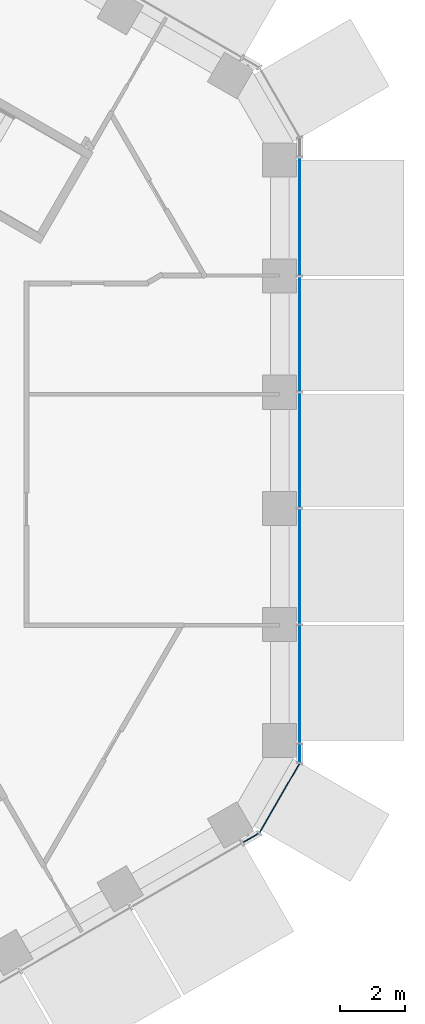
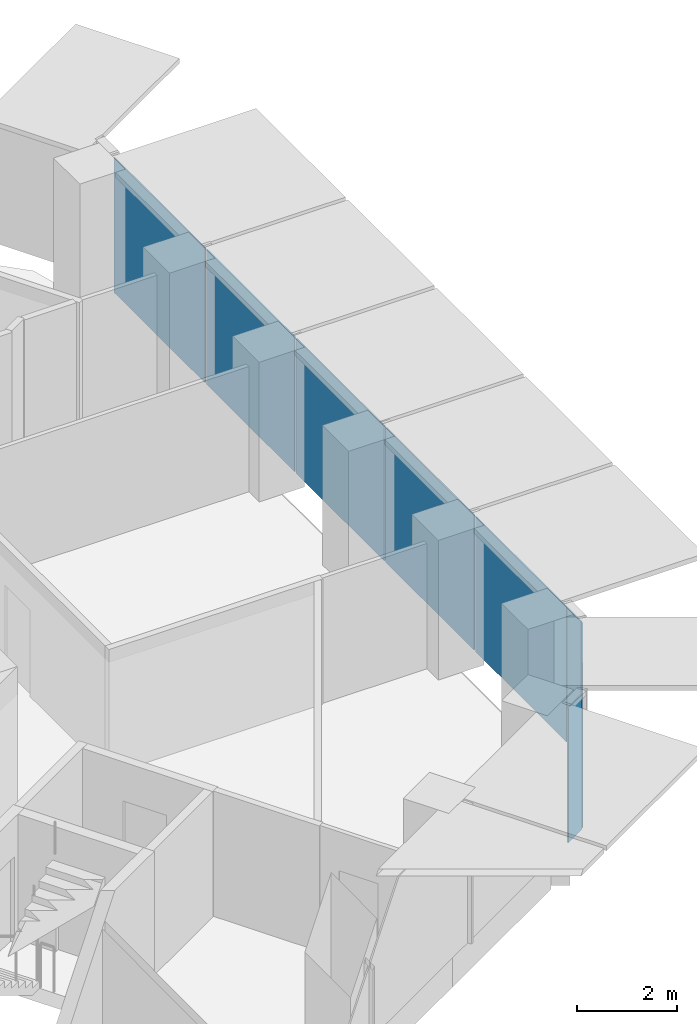
# One storey, part 10 of 18: 8 plates, 2 elements without a shape of their own.
"""IFC4 building model written with IfcOpenShell, lengths in metres."""

from ifc_helpers import new_model, si_unit, direction, frame, origin, origin_2d, place, context, subcontext, project, spatial, rectangle, extrude, material, layer, layer_set, type_object, element, aggregate, save


model = new_model("IFC4")

# Units and contexts
model_context = context("Model", 3, precision=1e-05, world=origin(), true_north=direction((0.0, 1.0)))
body_context = subcontext(model_context, "Body", "Model", "MODEL_VIEW")
ifc_project = project(units=[si_unit("LENGTHUNIT", "METRE"), si_unit("AREAUNIT", "SQUARE_METRE"), si_unit("VOLUMEUNIT", "CUBIC_METRE"), si_unit("PLANEANGLEUNIT", "RADIAN"), si_unit("MASSUNIT", "GRAM", prefix="KILO")], contexts=[model_context])

# Site, building, storey
site_placement = place(None, origin())
site = spatial("IfcSite", under=ifc_project, at=site_placement, CompositionType="ELEMENT")
building_placement = place(site_placement, origin())
building = spatial("IfcBuilding", under=site, at=building_placement, Name="Ayvan Gate Tower", CompositionType="ELEMENT")
storey_placement = place(building_placement, frame((0.0, 0.0, 110.300048828125)))
storey = spatial("IfcBuildingStorey", under=building, at=storey_placement, Name="L29", CompositionType="ELEMENT", Elevation=110.300048828125)

# Curtain wall, plates
ifc_material_1 = material(Name="Bronze anodised aluminium", Category="aluminium")
ifc_layer_1 = layer(ifc_material_1, 0.199951171875)
ifc_layer_set_1 = layer_set([ifc_layer_1], Name="Bronze anodised aluminium")
curtain_wall_type_1 = type_object("IfcCurtainWallType", Name="Stick curtain wall CW-1", PredefinedType="NOTDEFINED", material=ifc_layer_set_1)
curtain_wall_1_placement = place(storey_placement, origin())
curtain_wall_1 = element("IfcCurtainWall", 1, at=curtain_wall_1_placement, inside=storey, type_object=curtain_wall_type_1, Name="Stick curtain wall CW-1 L29", PredefinedType="NOTDEFINED")
ifc_material_2 = material(Name="Clear low-iron laminated glass", Category="glass")
ifc_layer_2 = layer(ifc_material_2, 0.028076171875)
ifc_layer_set_2 = layer_set([ifc_layer_2], Name="Clear low-iron laminated glass")
plate_type_1 = type_object("IfcPlateType", Name="Stick curtain wall CW-1 glass panel", PredefinedType="CURTAIN_PANEL", material=ifc_layer_set_2)
plate_1_placement = place(storey_placement, frame((20.110595703125, -7.20654296875, 0.0), z_axis=(0.0, 0.0, 1.0), x_axis=(0.0, 1.0, 0.0)))
plate_1 = element("IfcPlate", 2, at=plate_1_placement, type_object=plate_type_1, Name="CW-1 glass panel 1", PredefinedType="CURTAIN_PANEL", context=body_context, shape_type="SweptSolid", body=[
    extrude(rectangle(XDim=3.631103515625, YDim=0.028076171875, at=origin_2d()), origin(), (0.0, 0.0, 1.0), 3.280029296875),
])
plate_2_placement = place(storey_placement, frame((20.110595703125, -3.573974609375, 0.0), z_axis=(0.0, 0.0, 1.0), x_axis=(0.0, 1.0, 0.0)))
plate_2 = element("IfcPlate", 3, at=plate_2_placement, type_object=plate_type_1, Name="CW-1 glass panel 2", PredefinedType="CURTAIN_PANEL", context=body_context, shape_type="SweptSolid", body=[
    extrude(rectangle(XDim=3.513916015625, YDim=0.028076171875, at=origin_2d()), origin(), (0.0, 0.0, 1.0), 3.280029296875),
])
plate_3_placement = place(storey_placement, frame((20.110595703125, 0.0, 0.0), z_axis=(0.0, 0.0, 1.0), x_axis=(0.0, 1.0, 0.0)))
plate_3 = element("IfcPlate", 4, at=plate_3_placement, type_object=plate_type_1, Name="CW-1 glass panel 3", PredefinedType="CURTAIN_PANEL", context=body_context, shape_type="SweptSolid", body=[
    extrude(rectangle(XDim=3.513916015625, YDim=0.028076171875, at=origin_2d()), origin(), (0.0, 0.0, 1.0), 3.280029296875),
])
plate_4_placement = place(storey_placement, frame((20.110595703125, 3.573974609375, 0.0), z_axis=(0.0, 0.0, 1.0), x_axis=(0.0, 1.0, 0.0)))
plate_4 = element("IfcPlate", 5, at=plate_4_placement, type_object=plate_type_1, Name="CW-1 glass panel 4", PredefinedType="CURTAIN_PANEL", context=body_context, shape_type="SweptSolid", body=[
    extrude(rectangle(XDim=3.513916015625, YDim=0.028076171875, at=origin_2d()), origin(), (0.0, 0.0, 1.0), 3.280029296875),
])
plate_5_placement = place(storey_placement, frame((20.110595703125, 7.20654296875, 0.0), z_axis=(0.0, 0.0, 1.0), x_axis=(0.0, 1.0, 0.0)))
plate_5 = element("IfcPlate", 6, at=plate_5_placement, type_object=plate_type_1, Name="CW-1 glass panel 5", PredefinedType="CURTAIN_PANEL", context=body_context, shape_type="SweptSolid", body=[
    extrude(rectangle(XDim=3.631103515625, YDim=0.028076171875, at=origin_2d()), origin(), (0.0, 0.0, 1.0), 3.280029296875),
])
aggregate(curtain_wall_1, [plate_1, plate_2, plate_3, plate_4, plate_5])

ifc_layer_3 = layer(ifc_material_1, 0.199951171875)
ifc_layer_set_3 = layer_set([ifc_layer_3], Name="Bronze anodised aluminium")
curtain_wall_type_2 = type_object("IfcCurtainWallType", Name="Stick curtain wall CW-6", PredefinedType="NOTDEFINED", material=ifc_layer_set_3)
curtain_wall_2_placement = place(storey_placement, origin())
curtain_wall_2 = element("IfcCurtainWall", 7, at=curtain_wall_2_placement, inside=storey, type_object=curtain_wall_type_2, Name="Stick curtain wall CW-6 L29", PredefinedType="NOTDEFINED")
ifc_layer_4 = layer(ifc_material_2, 0.028076171875)
ifc_layer_set_4 = layer_set([ifc_layer_4], Name="Clear low-iron laminated glass")
plate_type_2 = type_object("IfcPlateType", Name="Stick curtain wall CW-6 glass panel", PredefinedType="CURTAIN_PANEL", material=ifc_layer_set_4)
plate_6_placement = place(storey_placement, frame((18.607421875, -11.930419921875, 0.0), z_axis=(0.0, 0.0, 1.0), x_axis=(0.866025403784, 0.5, 0.0)))
plate_6 = element("IfcPlate", 8, at=plate_6_placement, type_object=plate_type_2, Name="CW-6 glass panel 1", PredefinedType="CURTAIN_PANEL", context=body_context, shape_type="SweptSolid", body=[
    extrude(rectangle(XDim=0.550048828125, YDim=0.028076171875, at=origin_2d()), origin(), (0.0, 0.0, 1.0), 3.280029296875),
])
plate_7_placement = place(storey_placement, frame((19.489013671875, -10.70361328125, 0.0), z_axis=(0.0, 0.0, 1.0), x_axis=(0.5, 0.866025403784, 0.0)))
plate_7 = element("IfcPlate", 9, at=plate_7_placement, type_object=plate_type_2, Name="CW-6 glass panel 2", PredefinedType="CURTAIN_PANEL", context=body_context, shape_type="SweptSolid", body=[
    extrude(rectangle(XDim=2.4365234375, YDim=0.028076171875, at=origin_2d()), origin(), (0.0, 0.0, 1.0), 3.280029296875),
])
plate_8_placement = place(storey_placement, frame((20.110595703125, -9.326904296875, 0.0), z_axis=(0.0, 0.0, 1.0), x_axis=(0.0, 1.0, 0.0)))
plate_8 = element("IfcPlate", 10, at=plate_8_placement, type_object=plate_type_2, Name="CW-6 glass panel 3", PredefinedType="CURTAIN_PANEL", context=body_context, shape_type="SweptSolid", body=[
    extrude(rectangle(XDim=0.550048828125, YDim=0.028076171875, at=origin_2d()), origin(), (0.0, 0.0, 1.0), 3.280029296875),
])
aggregate(curtain_wall_2, [plate_6, plate_7, plate_8])

save(model, "model.ifc")
